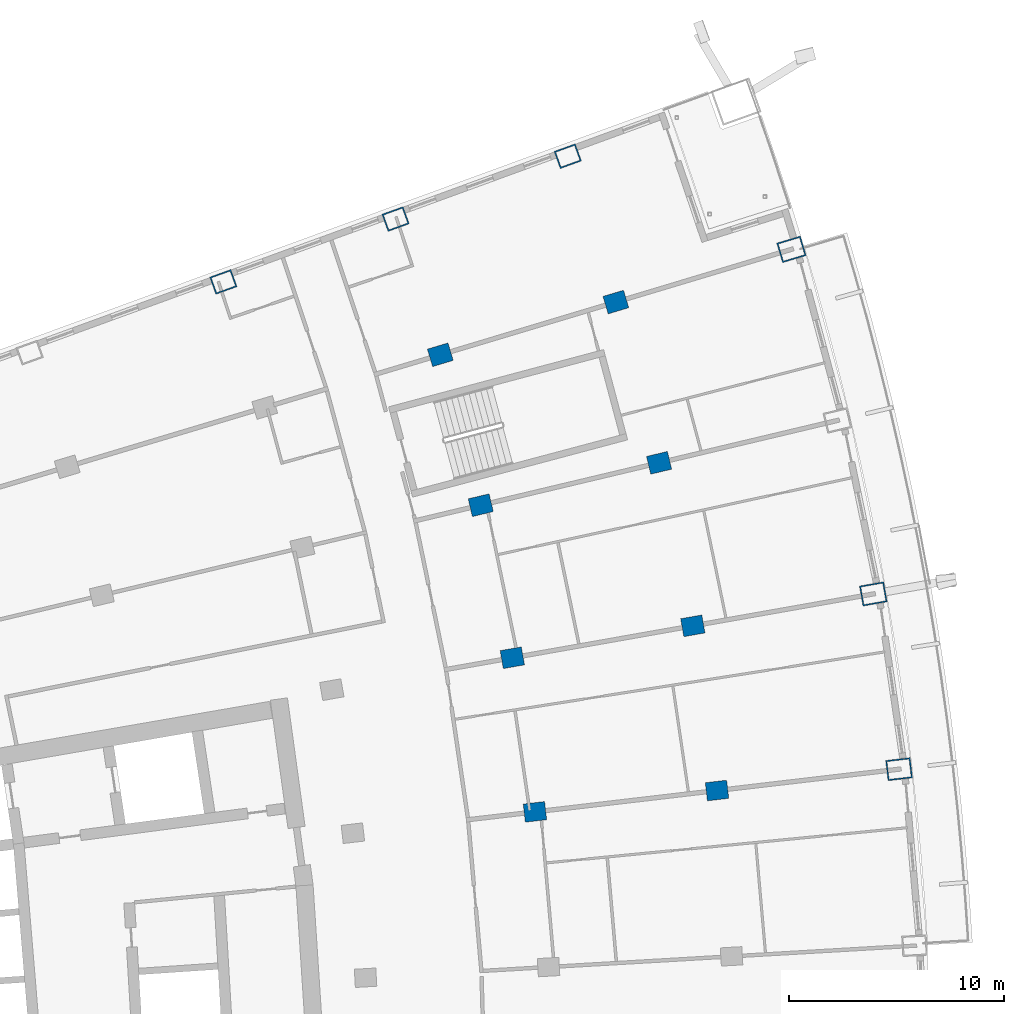
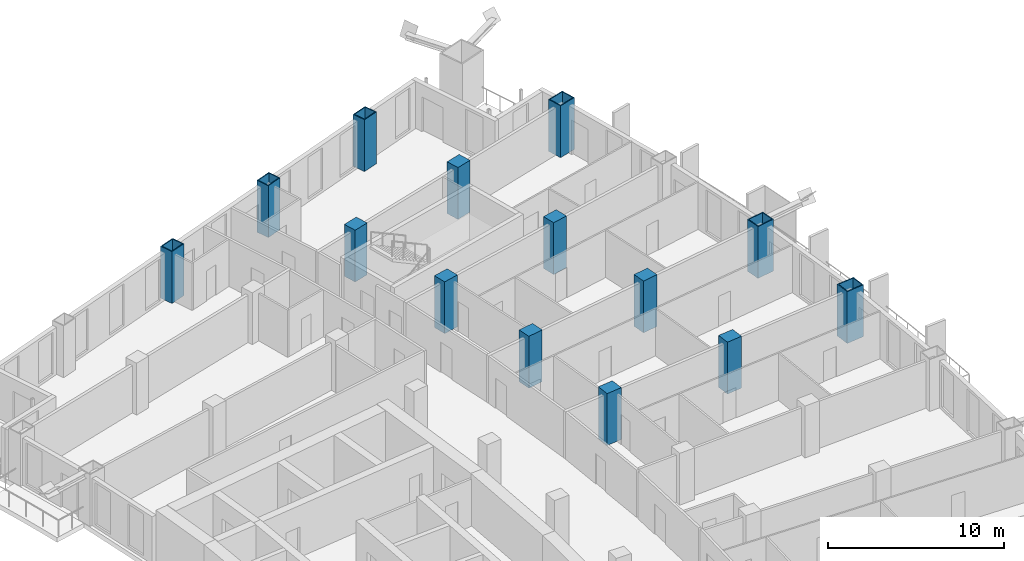
# One storey, part 7 of 23: 14 columns.
"""IFC4 building model written with IfcOpenShell, lengths in metres."""

import ifcopenshell
import ifcopenshell.guid

model = None  # the IFC model being written
_history = None  # IfcOwnerHistory: only IFC2X3 demands one
_inside = {}  # id of a spatial element -> (the spatial element, [elements in it])
_under = {}  # id of a project, library or spatial element -> (it, [spatial elements below it])
_declared = {}  # id of a project -> (the project, [libraries it declares])
_typed = {}  # id of a type object -> (the type object, [elements of that type])
_made_of = {}  # id of a material, layer set ... -> (it, [elements and type objects made of it])


def new_model(schema):
    """Start an empty IFC model of exactly this schema.

    Asked for "IFC4X3", IfcOpenShell would pick the latest addendum, in which some entities
    have other attributes; the version numbers below select the first issue.
    IFC2X3 requires an IfcOwnerHistory on every rooted entity: one is made here for all.
    """
    global model, _history
    if schema == "IFC4X3":
        model = ifcopenshell.file(schema_version=(4, 3, 0, 0))
    else:
        model = ifcopenshell.file(schema=schema)
    _inside.clear()
    _under.clear()
    _declared.clear()
    _typed.clear()
    _made_of.clear()
    _history = None
    if model.schema == "IFC2X3":
        org = make("IfcOrganization", Name="unknown")
        user = make(
            "IfcPersonAndOrganization",
            ThePerson=make("IfcPerson", FamilyName="unknown"),
            TheOrganization=org,
        )
        app = make(
            "IfcApplication",
            ApplicationDeveloper=org,
            Version="unknown",
            ApplicationFullName="unknown",
            ApplicationIdentifier="unknown",
        )
        _history = make(
            "IfcOwnerHistory",
            OwningUser=user,
            OwningApplication=app,
            ChangeAction="ADDED",
            CreationDate=0,
        )
    return model


def make(cls, **values):
    """One entity of the class cls with the attributes given. An attribute that is None is left unset."""
    return model.create_entity(
        cls, **{name: value for name, value in values.items() if value is not None}
    )


def rooted(cls, **values):
    """An entity with a GlobalId (a new one), such as an element, a storey or a relation."""
    return make(cls, GlobalId=ifcopenshell.guid.new(), OwnerHistory=_history, **values)


def si_unit(unit_type, name, prefix=None):
    """IfcSIUnit, for example si_unit("LENGTHUNIT", "METRE", prefix="MILLI")."""
    return make("IfcSIUnit", UnitType=unit_type, Prefix=prefix, Name=name)


def assignment(units):
    """IfcUnitAssignment: the units of a project."""
    return None if units is None else make("IfcUnitAssignment", Units=units)


def point(xyz):
    """IfcCartesianPoint."""
    return None if xyz is None else make("IfcCartesianPoint", Coordinates=xyz)


def direction(xyz):
    """IfcDirection."""
    return None if xyz is None else make("IfcDirection", DirectionRatios=xyz)


def frame(location, z_axis=None, x_axis=None):
    """IfcAxis2Placement3D, a coordinate frame: its origin and axes. An axis left out is left unset."""
    return make(
        "IfcAxis2Placement3D",
        Location=point(location),
        Axis=direction(z_axis),
        RefDirection=direction(x_axis),
    )


def frame_2d(location, x_axis=None):
    """IfcAxis2Placement2D, a coordinate frame in the plane: its origin and x axis."""
    return make(
        "IfcAxis2Placement2D", Location=point(location), RefDirection=direction(x_axis)
    )


def origin():
    """The frame at (0, 0, 0) with its axes left unset."""
    return frame((0.0, 0.0, 0.0))


def origin_2d():
    """The frame at (0, 0) in the plane with its x axis left unset."""
    return frame_2d((0.0, 0.0))


def place(relative_to, where):
    """IfcLocalPlacement: puts the frame where relative to a parent placement (None: the world)."""
    return make(
        "IfcLocalPlacement", PlacementRelTo=relative_to, RelativePlacement=where
    )


def context(
    kind, dimensions, precision=None, world=None, true_north=None, identifier=None
):
    """IfcGeometricRepresentationContext, for example the 3D "Model" context."""
    return make(
        "IfcGeometricRepresentationContext",
        ContextIdentifier=identifier,
        ContextType=kind,
        CoordinateSpaceDimension=dimensions,
        Precision=precision,
        WorldCoordinateSystem=world,
        TrueNorth=true_north,
    )


def subcontext(parent, identifier, kind, view, scale=None):
    """IfcGeometricRepresentationSubContext, for example "Body" below "Model"."""
    return make(
        "IfcGeometricRepresentationSubContext",
        ContextIdentifier=identifier,
        ContextType=kind,
        ParentContext=parent,
        TargetScale=scale,
        TargetView=view,
    )


def project(units=None, contexts=None):
    """IfcProject with its units and contexts."""
    return rooted(
        "IfcProject",
        Name="project",
        RepresentationContexts=contexts,
        UnitsInContext=assignment(units),
    )


def spatial(cls, under=None, at=None, **own):
    """A site, building, storey or space (cls), placed at a placement, below another one or the project."""
    s = rooted(cls, ObjectPlacement=at, **own)
    if under is not None:
        _under.setdefault(under.id(), (under, []))[1].append(s)
    return s


def profile(cls, at=None, kind="AREA", **sizes):
    """A parametric profile (cls). Its sizes go by their IFC names, for example OverallWidth=200.0."""
    return make(cls, ProfileType=kind, Position=at, **sizes)


def rectangle(**sizes):
    """IfcRectangleProfileDef."""
    return profile("IfcRectangleProfileDef", **sizes)


def hollow_rectangle(**sizes):
    """IfcRectangleHollowProfileDef."""
    return profile("IfcRectangleHollowProfileDef", **sizes)


def extrude(swept, where, along, depth):
    """IfcExtrudedAreaSolid: the profile swept, set in the frame where, extruded along a direction by depth."""
    return make(
        "IfcExtrudedAreaSolid",
        SweptArea=swept,
        Position=where,
        ExtrudedDirection=direction(along),
        Depth=depth,
    )


def shape(context_of_items, identifier, shape_type, items):
    """IfcShapeRepresentation: the items that make up one representation, for example the "Body"."""
    return make(
        "IfcShapeRepresentation",
        ContextOfItems=context_of_items,
        RepresentationIdentifier=identifier,
        RepresentationType=shape_type,
        Items=items,
    )


def material(Name=None, Category=None):
    """IfcMaterial."""
    return make("IfcMaterial", Name=Name, Category=Category)


def material_profile(
    of_material, cross_section, Name=None, Category=None, Priority=None
):
    """IfcMaterialProfile: a cross section and its material."""
    return make(
        "IfcMaterialProfile",
        Name=Name,
        Material=of_material,
        Profile=cross_section,
        Priority=Priority,
        Category=Category,
    )


def profile_set(profiles, Name=None, composite=None):
    """IfcMaterialProfileSet."""
    return make(
        "IfcMaterialProfileSet",
        Name=Name,
        MaterialProfiles=profiles,
        CompositeProfile=composite,
    )


def made_of(thing, what):
    """Note that an element or type object is made of a material, layer set ...; save() writes the relation."""
    if what is not None:
        _made_of.setdefault(what.id(), (what, []))[1].append(thing)
    return thing


def type_object(cls, material=None, **own):
    """A type object (cls), such as IfcWallType, which elements share."""
    return made_of(rooted(cls, **own), material)


def element(
    cls,
    number,
    at=None,
    inside=None,
    cuts=None,
    type_object=None,
    material=None,
    context=None,
    identifier="Body",
    shape_type=None,
    held_by="IfcProductDefinitionShape",
    body=None,
    shapes=None,
    **own,
):
    """One element of the class cls, such as IfcWall. Its Tag is "e" and its number.

    at: its placement. inside: the storey or other place that contains it. cuts: it is an
    opening in that element (IfcRelVoidsElement). A single representation is given by context,
    identifier, shape_type and body (its items); several are given by shapes. held_by: the class
    of the entity that holds the representations. save() writes the other relations.
    """
    e = rooted(cls, Tag="e%d" % number, ObjectPlacement=at, **own)
    if body is not None:
        shapes = [shape(context, identifier, shape_type, body)]
    if shapes is not None:
        e.Representation = make(held_by, Representations=shapes)
    if inside is not None:
        _inside.setdefault(inside.id(), (inside, []))[1].append(e)
    if cuts is not None:
        rooted(
            "IfcRelVoidsElement", RelatingBuildingElement=cuts, RelatedOpeningElement=e
        )
    if type_object is not None:
        _typed.setdefault(type_object.id(), (type_object, []))[1].append(e)
    return made_of(e, material)


def aggregate(whole, parts):
    """IfcRelAggregates: a whole, such as a stair, and the parts it consists of."""
    return rooted("IfcRelAggregates", RelatingObject=whole, RelatedObjects=parts)


def save(model, path):
    """Write the relations noted so far, then the file.

    IfcRelAggregates (storeys below a building ...), IfcRelContainedInSpatialStructure (elements
    in a storey), IfcRelDefinesByType, IfcRelAssociatesMaterial and IfcRelDeclares: one each for
    every whole, place, type object, material and project.
    """
    for whole, parts in _under.values():
        aggregate(whole, parts)
    for where, things in _inside.values():
        rooted(
            "IfcRelContainedInSpatialStructure",
            RelatedElements=things,
            RelatingStructure=where,
        )
    for kind, things in _typed.values():
        rooted("IfcRelDefinesByType", RelatedObjects=things, RelatingType=kind)
    for what, things in _made_of.values():
        rooted("IfcRelAssociatesMaterial", RelatedObjects=things, RelatingMaterial=what)
    for by, libraries in _declared.values():
        rooted("IfcRelDeclares", RelatingContext=by, RelatedDefinitions=libraries)
    model.write(path)


model = new_model("IFC4")

# Units and contexts
model_context = context("Model", 3, precision=1e-05, world=origin(), true_north=direction((0.0, 1.0)))
body_context = subcontext(model_context, "Body", "Model", "MODEL_VIEW")
ifc_project = project(units=[si_unit("LENGTHUNIT", "METRE"), si_unit("AREAUNIT", "SQUARE_METRE"), si_unit("VOLUMEUNIT", "CUBIC_METRE"), si_unit("PLANEANGLEUNIT", "RADIAN"), si_unit("MASSUNIT", "GRAM", prefix="KILO")], contexts=[model_context])

# Site, building, storey
site_placement = place(None, origin())
site = spatial("IfcSite", under=ifc_project, at=site_placement, CompositionType="ELEMENT")
building_placement = place(site_placement, origin())
building = spatial("IfcBuilding", under=site, at=building_placement, Name="Alderwake Tower", CompositionType="ELEMENT")
storey_placement = place(building_placement, frame((0.0, 0.0, 100.39990234375)))
storey = spatial("IfcBuildingStorey", under=building, at=storey_placement, Name="L24", CompositionType="ELEMENT", Elevation=100.39990234375)

# Columns
ifc_material_1 = material(Name="Steel ASTM A572 Grade 50 concrete filled C70/85", Category="concrete")
ifc_material_profile_1 = material_profile(ifc_material_1, hollow_rectangle(XDim=0.85009765625, YDim=1.050048828125, WallThickness=0.06005859375, at=origin_2d()), Name="BOX 1050X850X60")
ifc_profile_set_1 = profile_set([ifc_material_profile_1], Name="Steel ASTM A572 Grade 50 concrete filled C70/85")
column_type_1 = type_object("IfcColumnType", Name="End column Z2", PredefinedType="COLUMN", material=ifc_profile_set_1)
for number, where, z_axis, x_axis, name in (
    (1, (28.983642578125, 100.143310546875, 0.0), (0.0, 0.0, 1.0), (-0.338026774049, 0.941136493834, 0.0), "Column R13-C2"),
    (2, (36.999755859375, 103.069580078125, 0.0), (0.0, 0.0, 1.0), (-0.338360199215, 0.941016671259, 0.0), "Column R13-C3"),
    (3, (45.015869140625, 105.99560546875, 0.0), (0.0, 0.0, 1.0), (-0.33865252722, 0.940911507958, 0.0), "Column R13-C4"),
):
    element("IfcColumn", number, at=place(storey_placement, frame(where, z_axis=z_axis, x_axis=x_axis)), inside=storey, type_object=column_type_1, Name=name, PredefinedType="COLUMN", context=body_context, shape_type="SweptSolid", body=[
        extrude(hollow_rectangle(XDim=0.85009765625, YDim=1.050048828125, WallThickness=0.06005859375, at=origin_2d()), origin(), (0.0, 0.0, 1.0), 3.60009765625),
    ])
ifc_material_2 = material(Name="Concrete C70/85", Category="concrete")
ifc_material_profile_2 = material_profile(ifc_material_2, rectangle(XDim=0.85009765625, YDim=1.0, at=origin_2d()), Name="RC 1000X850")
ifc_profile_set_2 = profile_set([ifc_material_profile_2], Name="Concrete C70/85")
column_type_2 = type_object("IfcColumnType", Name="Interior column Z2", PredefinedType="COLUMN", material=ifc_profile_set_2)
for number, where, z_axis, x_axis, name in (
    (4, (43.488037109375, 75.47265625, 0.0), (0.0, 0.0, 1.0), (-0.116402054316, 0.993202175668, 0.0), "Column R09-C3"),
    (5, (51.96337890625, 76.466064453125, 0.0), (0.0, 0.0, 1.0), (-0.116402054316, 0.993202175668, 0.0), "Column R09-C4"),
    (6, (42.434326171875, 82.6474609375, 0.0), (0.0, 0.0, 1.0), (-0.174107082075, 0.984726725529, 0.0), "Column R10-C3"),
    (7, (50.83740234375, 84.13330078125, 0.0), (0.0, 0.0, 1.0), (-0.174108800747, 0.984726421654, 0.0), "Column R10-C4"),
    (8, (40.964111328125, 89.74853515625, 0.0), (0.0, 0.0, 1.0), (-0.231221547198, 0.972901123502, 0.0), "Column R11-C3"),
    (9, (49.26611328125, 91.7216796875, 0.0), (0.0, 0.0, 1.0), (-0.231221547198, 0.972901123502, 0.0), "Column R11-C4"),
    (10, (39.082275390625, 96.751953125, 0.0), (0.0, 0.0, 1.0), (-0.287549418125, 0.957765802342, 0.0), "Column R12-C3"),
    (11, (47.255126953125, 99.205810546875, 0.0), (0.0, 0.0, 1.0), (-0.287549418125, 0.957765802342, 0.0), "Column R12-C4"),
):
    element("IfcColumn", number, at=place(storey_placement, frame(where, z_axis=z_axis, x_axis=x_axis)), inside=storey, type_object=column_type_2, Name=name, PredefinedType="COLUMN", context=body_context, shape_type="SweptSolid", body=[
        extrude(rectangle(XDim=0.85009765625, YDim=1.0, at=origin_2d()), origin(), (0.0, 0.0, 1.0), 3.60009765625),
    ])
ifc_material_3 = material(Name="Steel ASTM A572 Grade 50 concrete filled C70/85", Category="concrete")
ifc_material_profile_3 = material_profile(ifc_material_3, hollow_rectangle(XDim=0.949951171875, YDim=1.14990234375, WallThickness=0.06005859375, at=origin_2d()), Name="BOX 1150X950X60")
ifc_profile_set_3 = profile_set([ifc_material_profile_3], Name="Steel ASTM A572 Grade 50 concrete filled C70/85")
column_type_3 = type_object("IfcColumnType", Name="Perimeter column Z2", PredefinedType="COLUMN", material=ifc_profile_set_3)
for number, where, z_axis, x_axis, name in (
    (12, (60.438720703125, 77.459228515625, 0.0), (0.0, 0.0, 1.0), (-0.116402054316, 0.993202175668, 0.0), "Column R09-C5"),
    (13, (59.240234375, 85.618896484375, 0.0), (0.0, 0.0, 1.0), (-0.174108800747, 0.984726421654, 0.0), "Column R10-C5"),
    (14, (55.427978515625, 101.659423828125, 0.0), (0.0, 0.0, 1.0), (-0.287549418125, 0.957765802342, 0.0), "Column R12-C5"),
):
    element("IfcColumn", number, at=place(storey_placement, frame(where, z_axis=z_axis, x_axis=x_axis)), inside=storey, type_object=column_type_3, Name=name, PredefinedType="COLUMN", context=body_context, shape_type="SweptSolid", body=[
        extrude(hollow_rectangle(XDim=0.949951171875, YDim=1.14990234375, WallThickness=0.06005859375, at=origin_2d()), origin(), (0.0, 0.0, 1.0), 3.60009765625),
    ])

save(model, "model.ifc")
